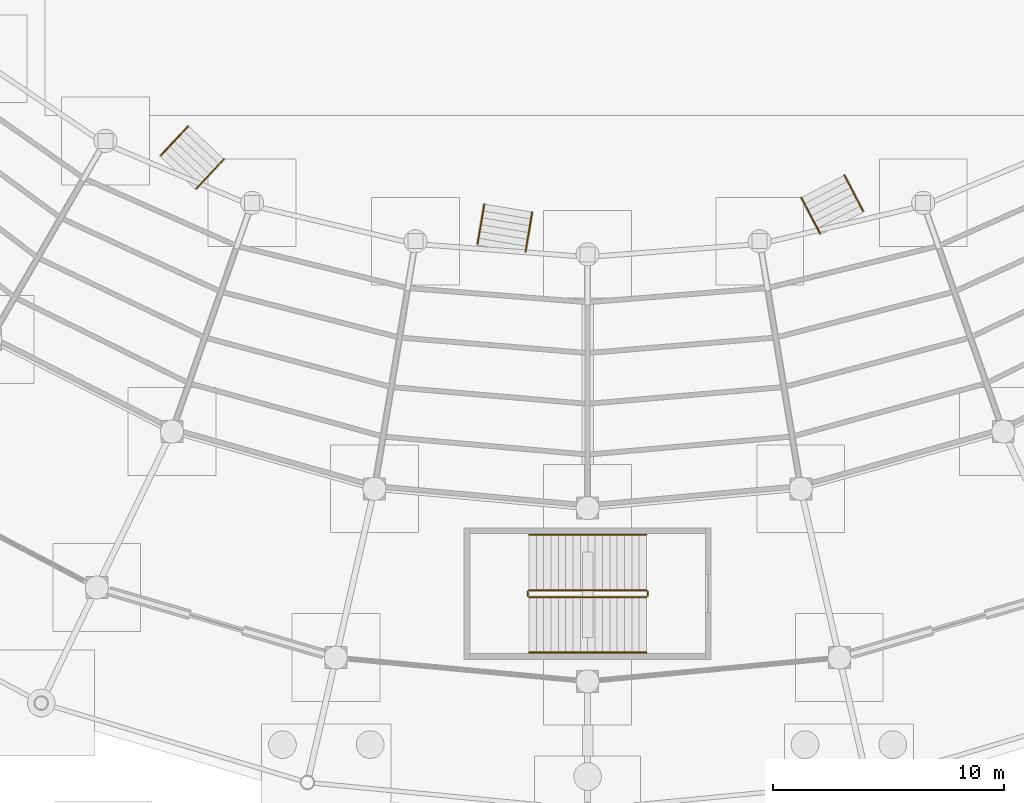
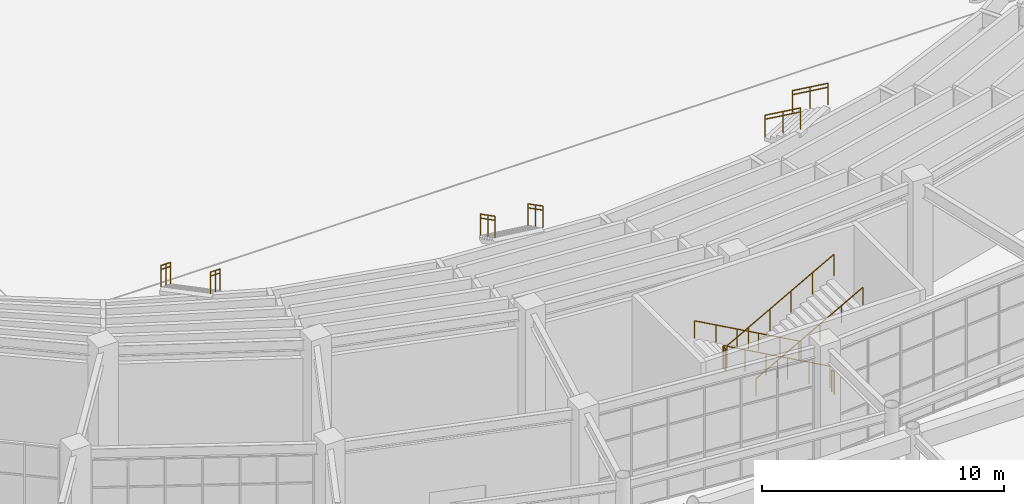
# One storey, part 106 of 121: 18 railings.
"""IFC4 building model written with IfcOpenShell, lengths in metres."""

import ifcopenshell
import ifcopenshell.guid

model = None  # the IFC model being written
_history = None  # IfcOwnerHistory: only IFC2X3 demands one
_inside = {}  # id of a spatial element -> (the spatial element, [elements in it])
_under = {}  # id of a project, library or spatial element -> (it, [spatial elements below it])
_declared = {}  # id of a project -> (the project, [libraries it declares])
_typed = {}  # id of a type object -> (the type object, [elements of that type])
_made_of = {}  # id of a material, layer set ... -> (it, [elements and type objects made of it])


def new_model(schema):
    """Start an empty IFC model of exactly this schema.

    Asked for "IFC4X3", IfcOpenShell would pick the latest addendum, in which some entities
    have other attributes; the version numbers below select the first issue.
    IFC2X3 requires an IfcOwnerHistory on every rooted entity: one is made here for all.
    """
    global model, _history
    if schema == "IFC4X3":
        model = ifcopenshell.file(schema_version=(4, 3, 0, 0))
    else:
        model = ifcopenshell.file(schema=schema)
    _inside.clear()
    _under.clear()
    _declared.clear()
    _typed.clear()
    _made_of.clear()
    _history = None
    if model.schema == "IFC2X3":
        org = make("IfcOrganization", Name="unknown")
        user = make(
            "IfcPersonAndOrganization",
            ThePerson=make("IfcPerson", FamilyName="unknown"),
            TheOrganization=org,
        )
        app = make(
            "IfcApplication",
            ApplicationDeveloper=org,
            Version="unknown",
            ApplicationFullName="unknown",
            ApplicationIdentifier="unknown",
        )
        _history = make(
            "IfcOwnerHistory",
            OwningUser=user,
            OwningApplication=app,
            ChangeAction="ADDED",
            CreationDate=0,
        )
    return model


def make(cls, **values):
    """One entity of the class cls with the attributes given. An attribute that is None is left unset."""
    return model.create_entity(
        cls, **{name: value for name, value in values.items() if value is not None}
    )


def rooted(cls, **values):
    """An entity with a GlobalId (a new one), such as an element, a storey or a relation."""
    return make(cls, GlobalId=ifcopenshell.guid.new(), OwnerHistory=_history, **values)


def si_unit(unit_type, name, prefix=None):
    """IfcSIUnit, for example si_unit("LENGTHUNIT", "METRE", prefix="MILLI")."""
    return make("IfcSIUnit", UnitType=unit_type, Prefix=prefix, Name=name)


def assignment(units):
    """IfcUnitAssignment: the units of a project."""
    return None if units is None else make("IfcUnitAssignment", Units=units)


def point(xyz):
    """IfcCartesianPoint."""
    return None if xyz is None else make("IfcCartesianPoint", Coordinates=xyz)


def direction(xyz):
    """IfcDirection."""
    return None if xyz is None else make("IfcDirection", DirectionRatios=xyz)


def frame(location, z_axis=None, x_axis=None):
    """IfcAxis2Placement3D, a coordinate frame: its origin and axes. An axis left out is left unset."""
    return make(
        "IfcAxis2Placement3D",
        Location=point(location),
        Axis=direction(z_axis),
        RefDirection=direction(x_axis),
    )


def frame_2d(location, x_axis=None):
    """IfcAxis2Placement2D, a coordinate frame in the plane: its origin and x axis."""
    return make(
        "IfcAxis2Placement2D", Location=point(location), RefDirection=direction(x_axis)
    )


def origin():
    """The frame at (0, 0, 0) with its axes left unset."""
    return frame((0.0, 0.0, 0.0))


def origin_2d():
    """The frame at (0, 0) in the plane with its x axis left unset."""
    return frame_2d((0.0, 0.0))


def place(relative_to, where):
    """IfcLocalPlacement: puts the frame where relative to a parent placement (None: the world)."""
    return make(
        "IfcLocalPlacement", PlacementRelTo=relative_to, RelativePlacement=where
    )


def context(
    kind, dimensions, precision=None, world=None, true_north=None, identifier=None
):
    """IfcGeometricRepresentationContext, for example the 3D "Model" context."""
    return make(
        "IfcGeometricRepresentationContext",
        ContextIdentifier=identifier,
        ContextType=kind,
        CoordinateSpaceDimension=dimensions,
        Precision=precision,
        WorldCoordinateSystem=world,
        TrueNorth=true_north,
    )


def subcontext(parent, identifier, kind, view, scale=None):
    """IfcGeometricRepresentationSubContext, for example "Body" below "Model"."""
    return make(
        "IfcGeometricRepresentationSubContext",
        ContextIdentifier=identifier,
        ContextType=kind,
        ParentContext=parent,
        TargetScale=scale,
        TargetView=view,
    )


def project(units=None, contexts=None):
    """IfcProject with its units and contexts."""
    return rooted(
        "IfcProject",
        Name="project",
        RepresentationContexts=contexts,
        UnitsInContext=assignment(units),
    )


def spatial(cls, under=None, at=None, **own):
    """A site, building, storey or space (cls), placed at a placement, below another one or the project."""
    s = rooted(cls, ObjectPlacement=at, **own)
    if under is not None:
        _under.setdefault(under.id(), (under, []))[1].append(s)
    return s


def profile(cls, at=None, kind="AREA", **sizes):
    """A parametric profile (cls). Its sizes go by their IFC names, for example OverallWidth=200.0."""
    return make(cls, ProfileType=kind, Position=at, **sizes)


def circle(**sizes):
    """IfcCircleProfileDef."""
    return profile("IfcCircleProfileDef", **sizes)


def extrude(swept, where, along, depth):
    """IfcExtrudedAreaSolid: the profile swept, set in the frame where, extruded along a direction by depth."""
    return make(
        "IfcExtrudedAreaSolid",
        SweptArea=swept,
        Position=where,
        ExtrudedDirection=direction(along),
        Depth=depth,
    )


def shape(context_of_items, identifier, shape_type, items):
    """IfcShapeRepresentation: the items that make up one representation, for example the "Body"."""
    return make(
        "IfcShapeRepresentation",
        ContextOfItems=context_of_items,
        RepresentationIdentifier=identifier,
        RepresentationType=shape_type,
        Items=items,
    )


def material(Name=None, Category=None):
    """IfcMaterial."""
    return make("IfcMaterial", Name=Name, Category=Category)


def made_of(thing, what):
    """Note that an element or type object is made of a material, layer set ...; save() writes the relation."""
    if what is not None:
        _made_of.setdefault(what.id(), (what, []))[1].append(thing)
    return thing


def type_object(cls, material=None, **own):
    """A type object (cls), such as IfcWallType, which elements share."""
    return made_of(rooted(cls, **own), material)


def element(
    cls,
    number,
    at=None,
    inside=None,
    cuts=None,
    type_object=None,
    material=None,
    context=None,
    identifier="Body",
    shape_type=None,
    held_by="IfcProductDefinitionShape",
    body=None,
    shapes=None,
    **own,
):
    """One element of the class cls, such as IfcWall. Its Tag is "e" and its number.

    at: its placement. inside: the storey or other place that contains it. cuts: it is an
    opening in that element (IfcRelVoidsElement). A single representation is given by context,
    identifier, shape_type and body (its items); several are given by shapes. held_by: the class
    of the entity that holds the representations. save() writes the other relations.
    """
    e = rooted(cls, Tag="e%d" % number, ObjectPlacement=at, **own)
    if body is not None:
        shapes = [shape(context, identifier, shape_type, body)]
    if shapes is not None:
        e.Representation = make(held_by, Representations=shapes)
    if inside is not None:
        _inside.setdefault(inside.id(), (inside, []))[1].append(e)
    if cuts is not None:
        rooted(
            "IfcRelVoidsElement", RelatingBuildingElement=cuts, RelatedOpeningElement=e
        )
    if type_object is not None:
        _typed.setdefault(type_object.id(), (type_object, []))[1].append(e)
    return made_of(e, material)


def aggregate(whole, parts):
    """IfcRelAggregates: a whole, such as a stair, and the parts it consists of."""
    return rooted("IfcRelAggregates", RelatingObject=whole, RelatedObjects=parts)


def save(model, path):
    """Write the relations noted so far, then the file.

    IfcRelAggregates (storeys below a building ...), IfcRelContainedInSpatialStructure (elements
    in a storey), IfcRelDefinesByType, IfcRelAssociatesMaterial and IfcRelDeclares: one each for
    every whole, place, type object, material and project.
    """
    for whole, parts in _under.values():
        aggregate(whole, parts)
    for where, things in _inside.values():
        rooted(
            "IfcRelContainedInSpatialStructure",
            RelatedElements=things,
            RelatingStructure=where,
        )
    for kind, things in _typed.values():
        rooted("IfcRelDefinesByType", RelatedObjects=things, RelatingType=kind)
    for what, things in _made_of.values():
        rooted("IfcRelAssociatesMaterial", RelatedObjects=things, RelatingMaterial=what)
    for by, libraries in _declared.values():
        rooted("IfcRelDeclares", RelatingContext=by, RelatedDefinitions=libraries)
    model.write(path)


model = new_model("IFC4")

# Units and contexts
model_context = context("Model", 3, precision=1e-05, world=origin(), true_north=direction((0.0, 1.0)))
body_context = subcontext(model_context, "Body", "Model", "MODEL_VIEW")
ifc_project = project(units=[si_unit("LENGTHUNIT", "METRE"), si_unit("AREAUNIT", "SQUARE_METRE"), si_unit("VOLUMEUNIT", "CUBIC_METRE"), si_unit("PLANEANGLEUNIT", "RADIAN"), si_unit("MASSUNIT", "GRAM", prefix="KILO")], contexts=[model_context])

# Site, building, storey
site_placement = place(None, origin())
site = spatial("IfcSite", under=ifc_project, at=site_placement, CompositionType="ELEMENT")
building_placement = place(site_placement, origin())
building = spatial("IfcBuilding", under=site, at=building_placement, Name="Cuetzalor Civic Arena", CompositionType="ELEMENT")
storey_placement = place(building_placement, origin())
storey = spatial("IfcBuildingStorey", under=building, at=storey_placement, Name="L00", CompositionType="ELEMENT", Elevation=0.0)

# Railings
ifc_material_1 = material(Name="Reseda-green Steel S355 and laminated glass guard", Category="steel")
railing_type_1 = type_object("IfcRailingType", Name="BowlSightlineGuard_1100", PredefinedType="BALUSTRADE", material=ifc_material_1)
railing_1_placement = place(storey_placement, frame((-15.755615234375, -18.378173828125, 0.17138671875)))
element("IfcRailing", 1, at=railing_1_placement, inside=storey, type_object=railing_type_1, Name="Vomitory Stair VST-10 Guard L", PredefinedType="BALUSTRADE", context=body_context, shape_type="SweptSolid", body=[
    extrude(circle(Radius=0.02392578125, at=origin_2d()), frame((0.0, 0.0, 1.076171875), z_axis=(-0.588051341462, -0.628639930355, 0.508927752995), x_axis=(0.730289480468, -0.683137815318, 0.0)), (0.0, 0.0, 1.0), 2.02099609375),
    extrude(circle(Radius=0.02099609375, at=origin_2d()), origin(), (0.0, 0.0, 1.0), 1.052001953125),
    extrude(circle(Radius=0.02099609375, at=origin_2d()), frame((-0.59423828125, -0.63525390625, 0.51416015625)), (0.0, 0.0, 1.0), 1.052001953125),
    extrude(circle(Radius=0.02099609375, at=origin_2d()), frame((-1.1884765625, -1.2705078125, 1.028564453125)), (0.0, 0.0, 1.0), 1.052001953125),
])
railing_2_placement = place(storey_placement, frame((-17.2890625, -16.943603515625, 0.17138671875)))
element("IfcRailing", 2, at=railing_2_placement, inside=storey, type_object=railing_type_1, Name="Vomitory Stair VST-10 Guard R", PredefinedType="BALUSTRADE", context=body_context, shape_type="SweptSolid", body=[
    extrude(circle(Radius=0.02392578125, at=origin_2d()), frame((0.0, 0.0, 1.076171875), z_axis=(-0.588130359462, -0.628595274315, 0.508891600824), x_axis=(0.730219473175, -0.683212646981, 0.0)), (0.0, 0.0, 1.0), 2.021240234375),
    extrude(circle(Radius=0.02099609375, at=origin_2d()), origin(), (0.0, 0.0, 1.0), 1.052001953125),
    extrude(circle(Radius=0.02099609375, at=origin_2d()), frame((-0.59423828125, -0.63525390625, 0.51416015625)), (0.0, 0.0, 1.0), 1.052001953125),
    extrude(circle(Radius=0.02099609375, at=origin_2d()), frame((-1.188720703125, -1.2705078125, 1.028564453125)), (0.0, 0.0, 1.0), 1.052001953125),
])
for number, where, name in (
    (3, (-2.40380859375, -20.675537109375, 0.17138671875), "Vomitory Stair VST-11 Guard L"),
    (4, (-4.474853515625, -20.328125, 0.17138671875), "Vomitory Stair VST-11 Guard R"),
):
    element("IfcRailing", number, at=place(storey_placement, frame(where)), inside=storey, type_object=railing_type_1, Name=name, PredefinedType="BALUSTRADE", context=body_context, shape_type="SweptSolid", body=[
        extrude(circle(Radius=0.02392578125, at=origin_2d()), frame((0.0, 0.0, 1.076171875), z_axis=(-0.142403922363, -0.848988269967, 0.508861513924), x_axis=(0.986222747963, -0.165422765663, 0.0)), (0.0, 0.0, 1.0), 2.021240234375),
        extrude(circle(Radius=0.02099609375, at=origin_2d()), origin(), (0.0, 0.0, 1.0), 1.052001953125),
        extrude(circle(Radius=0.02099609375, at=origin_2d()), frame((-0.14404296875, -0.85791015625, 0.51416015625)), (0.0, 0.0, 1.0), 1.052001953125),
        extrude(circle(Radius=0.02099609375, at=origin_2d()), frame((-0.287841796875, -1.716064453125, 1.028564453125)), (0.0, 0.0, 1.0), 1.052001953125),
    ])
railing_3_placement = place(storey_placement, frame((11.1220703125, -19.07568359375, 0.17138671875)))
element("IfcRailing", 5, at=railing_3_placement, inside=storey, type_object=railing_type_1, Name="Vomitory Stair VST-12 Guard L", PredefinedType="BALUSTRADE", context=body_context, shape_type="SweptSolid", body=[
    extrude(circle(Radius=0.02392578125, at=origin_2d()), frame((0.0, 0.0, 1.076171875), z_axis=(0.397771409347, -0.76341187582, 0.508900986207), x_axis=(0.886837419241, 0.46208158569, 0.0)), (0.0, 0.0, 1.0), 2.021240234375),
    extrude(circle(Radius=0.02099609375, at=origin_2d()), origin(), (0.0, 0.0, 1.0), 1.052001953125),
    extrude(circle(Radius=0.02099609375, at=origin_2d()), frame((0.40185546875, -0.771484375, 0.51416015625)), (0.0, 0.0, 1.0), 1.052001953125),
    extrude(circle(Radius=0.02099609375, at=origin_2d()), frame((0.803955078125, -1.54296875, 1.028564453125)), (0.0, 0.0, 1.0), 1.052001953125),
])
railing_4_placement = place(storey_placement, frame((9.259521484375, -20.0458984375, 0.17138671875)))
element("IfcRailing", 6, at=railing_4_placement, inside=storey, type_object=railing_type_1, Name="Vomitory Stair VST-12 Guard R", PredefinedType="BALUSTRADE", context=body_context, shape_type="SweptSolid", body=[
    extrude(circle(Radius=0.02392578125, at=origin_2d()), frame((0.0, 0.0, 1.076171875), z_axis=(0.397836398814, -0.763425584973, 0.508829613905), x_axis=(0.886809881546, 0.462134432813, 0.0)), (0.0, 0.0, 1.0), 2.021484375),
    extrude(circle(Radius=0.02099609375, at=origin_2d()), origin(), (0.0, 0.0, 1.0), 1.052001953125),
    extrude(circle(Radius=0.02099609375, at=origin_2d()), frame((0.402099609375, -0.771484375, 0.51416015625)), (0.0, 0.0, 1.0), 1.052001953125),
    extrude(circle(Radius=0.02099609375, at=origin_2d()), frame((0.80419921875, -1.543212890625, 1.028564453125)), (0.0, 0.0, 1.0), 1.052001953125),
])
ifc_material_2 = material(Name="Reseda-green architectural Steel S355 balustrade", Category="steel")
railing_type_2 = type_object("IfcRailingType", Name="InteriorVoidBalustrade_1100", PredefinedType="BALUSTRADE", material=ifc_material_2)
railing_5_placement = place(storey_placement, frame((2.550048828125, -37.050048828125, 0.176513671875)))
element("IfcRailing", 7, at=railing_5_placement, inside=storey, type_object=railing_type_2, Name="L00 ST-07 stair guard 1", PredefinedType="BALUSTRADE", context=body_context, shape_type="SweptSolid", body=[
    extrude(circle(Radius=0.02392578125, at=origin_2d()), frame((0.0, 0.0, 1.0810546875), z_axis=(-0.874394655587, 0.0, 0.485215401941), x_axis=(0.0, -1.0, 0.0)), (0.0, 0.0, 1.0), 5.819091796875),
    extrude(circle(Radius=0.02099609375, at=origin_2d()), origin(), (0.0, 0.0, 1.0), 1.056884765625),
    extrude(circle(Radius=0.02099609375, at=origin_2d()), frame((-1.017578125, 0.0, 0.564697265625)), (0.0, 0.0, 1.0), 1.056884765625),
    extrude(circle(Radius=0.02099609375, at=origin_2d()), frame((-2.03515625, 0.0, 1.12939453125)), (0.0, 0.0, 1.0), 1.056884765625),
    extrude(circle(Radius=0.02099609375, at=origin_2d()), frame((-3.052978515625, 0.0, 1.694091796875)), (0.0, 0.0, 1.0), 1.056884765625),
    extrude(circle(Radius=0.02099609375, at=origin_2d()), frame((-4.070556640625, 0.0, 2.2587890625)), (0.0, 0.0, 1.0), 1.056884765625),
    extrude(circle(Radius=0.02099609375, at=origin_2d()), frame((-5.088134765625, 0.0, 2.823486328125)), (0.0, 0.0, 1.0), 1.056884765625),
])
railing_6_placement = place(storey_placement, frame((-2.587890625, -37.10009765625, 3.0)))
element("IfcRailing", 8, at=railing_6_placement, inside=storey, type_object=railing_type_2, Name="L00 ST-07 stair guard 2", PredefinedType="BALUSTRADE", context=body_context, shape_type="SweptSolid", body=[
    extrude(circle(Radius=0.02392578125, at=origin_2d()), frame((0.0, 0.0, 1.0810546875), z_axis=(0.0, -1.0, 0.0), x_axis=(1.0, 0.0, 0.0)), (0.0, 0.0, 1.0), 0.199951171875),
    extrude(circle(Radius=0.02099609375, at=origin_2d()), origin(), (0.0, 0.0, 1.0), 1.056884765625),
    extrude(circle(Radius=0.02099609375, at=origin_2d()), frame((0.0, -0.199951171875, 0.0)), (0.0, 0.0, 1.0), 1.056884765625),
])
railing_7_placement = place(storey_placement, frame((-2.5380859375, -37.35009765625, 3.176513671875)))
element("IfcRailing", 9, at=railing_7_placement, inside=storey, type_object=railing_type_2, Name="L00 ST-07 stair guard 3", PredefinedType="BALUSTRADE", context=body_context, shape_type="SweptSolid", body=[
    extrude(circle(Radius=0.02392578125, at=origin_2d()), frame((0.0, 0.0, 1.0810546875), z_axis=(0.874394655587, 0.0, 0.485215401941), x_axis=(0.0, 1.0, 0.0)), (0.0, 0.0, 1.0), 5.819091796875),
    extrude(circle(Radius=0.02099609375, at=origin_2d()), origin(), (0.0, 0.0, 1.0), 1.056884765625),
    extrude(circle(Radius=0.02099609375, at=origin_2d()), frame((1.017578125, 0.0, 0.564697265625)), (0.0, 0.0, 1.0), 1.056884765625),
    extrude(circle(Radius=0.02099609375, at=origin_2d()), frame((2.03515625, 0.0, 1.12939453125)), (0.0, 0.0, 1.0), 1.056884765625),
    extrude(circle(Radius=0.02099609375, at=origin_2d()), frame((3.052978515625, 0.0, 1.694091796875)), (0.0, 0.0, 1.0), 1.056884765625),
    extrude(circle(Radius=0.02099609375, at=origin_2d()), frame((4.070556640625, 0.0, 2.2587890625)), (0.0, 0.0, 1.0), 1.056884765625),
    extrude(circle(Radius=0.02099609375, at=origin_2d()), frame((5.088134765625, 0.0, 2.823486328125)), (0.0, 0.0, 1.0), 1.056884765625),
])
railing_8_placement = place(storey_placement, frame((2.60009765625, -37.10009765625, 0.0)))
element("IfcRailing", 10, at=railing_8_placement, inside=storey, type_object=railing_type_2, Name="L00 ST-07 stair guard 4", PredefinedType="BALUSTRADE", context=body_context, shape_type="SweptSolid", body=[
    extrude(circle(Radius=0.02392578125, at=origin_2d()), frame((0.0, 0.0, 1.0810546875), z_axis=(0.0, -1.0, 0.0), x_axis=(1.0, 0.0, 0.0)), (0.0, 0.0, 1.0), 0.199951171875),
    extrude(circle(Radius=0.02099609375, at=origin_2d()), origin(), (0.0, 0.0, 1.0), 1.056884765625),
    extrude(circle(Radius=0.02099609375, at=origin_2d()), frame((0.0, -0.199951171875, 0.0)), (0.0, 0.0, 1.0), 1.056884765625),
])
ifc_material_3 = material(Name="Galvanised steel S355", Category="steel")
railing_type_3 = type_object("IfcRailingType", Name="StairPitchHandrail_900", PredefinedType="HANDRAIL", material=ifc_material_3)
railing_9_placement = place(storey_placement, frame((2.550048828125, -34.64990234375, 0.176513671875)))
element("IfcRailing", 11, at=railing_9_placement, inside=storey, type_object=railing_type_3, Name="L00 ST-07 stair handrail 1", PredefinedType="HANDRAIL", context=body_context, shape_type="SweptSolid", body=[
    extrude(circle(Radius=0.02392578125, at=origin_2d()), frame((0.0, 0.0, 0.8759765625), z_axis=(-0.874394655587, 0.0, 0.485215401941), x_axis=(0.0, -1.0, 0.0)), (0.0, 0.0, 1.0), 5.819091796875),
    extrude(circle(Radius=0.02099609375, at=origin_2d()), origin(), (0.0, 0.0, 1.0), 0.851806640625),
    extrude(circle(Radius=0.02099609375, at=origin_2d()), frame((-1.017578125, 0.0, 0.564697265625)), (0.0, 0.0, 1.0), 0.851806640625),
    extrude(circle(Radius=0.02099609375, at=origin_2d()), frame((-2.03515625, 0.0, 1.12939453125)), (0.0, 0.0, 1.0), 0.851806640625),
    extrude(circle(Radius=0.02099609375, at=origin_2d()), frame((-3.052978515625, 0.0, 1.694091796875)), (0.0, 0.0, 1.0), 0.851806640625),
    extrude(circle(Radius=0.02099609375, at=origin_2d()), frame((-4.070556640625, 0.0, 2.2587890625)), (0.0, 0.0, 1.0), 0.851806640625),
    extrude(circle(Radius=0.02099609375, at=origin_2d()), frame((-5.088134765625, 0.0, 2.823486328125)), (0.0, 0.0, 1.0), 0.851806640625),
])
railing_10_placement = place(storey_placement, frame((-2.5380859375, -39.75, 3.176513671875)))
element("IfcRailing", 12, at=railing_10_placement, inside=storey, type_object=railing_type_3, Name="L00 ST-07 stair handrail 2", PredefinedType="HANDRAIL", context=body_context, shape_type="SweptSolid", body=[
    extrude(circle(Radius=0.02392578125, at=origin_2d()), frame((0.0, 0.0, 0.8759765625), z_axis=(0.874394655587, 0.0, 0.485215401941), x_axis=(0.0, 1.0, 0.0)), (0.0, 0.0, 1.0), 5.819091796875),
    extrude(circle(Radius=0.02099609375, at=origin_2d()), origin(), (0.0, 0.0, 1.0), 0.851806640625),
    extrude(circle(Radius=0.02099609375, at=origin_2d()), frame((1.017578125, 0.0, 0.564697265625)), (0.0, 0.0, 1.0), 0.851806640625),
    extrude(circle(Radius=0.02099609375, at=origin_2d()), frame((2.03515625, 0.0, 1.12939453125)), (0.0, 0.0, 1.0), 0.851806640625),
    extrude(circle(Radius=0.02099609375, at=origin_2d()), frame((3.052978515625, 0.0, 1.694091796875)), (0.0, 0.0, 1.0), 0.851806640625),
    extrude(circle(Radius=0.02099609375, at=origin_2d()), frame((4.070556640625, 0.0, 2.2587890625)), (0.0, 0.0, 1.0), 0.851806640625),
    extrude(circle(Radius=0.02099609375, at=origin_2d()), frame((5.088134765625, 0.0, 2.823486328125)), (0.0, 0.0, 1.0), 0.851806640625),
])
railing_11_placement = place(storey_placement, frame((-15.755615234375, -18.378173828125, 0.17138671875)))
element("IfcRailing", 13, at=railing_11_placement, inside=storey, type_object=railing_type_3, Name="Vomitory Stair VST-10 Handrail L", PredefinedType="HANDRAIL", context=body_context, shape_type="SweptSolid", body=[
    extrude(circle(Radius=0.02392578125, at=origin_2d()), frame((0.0, 0.0, 0.8759765625), z_axis=(-0.588051341462, -0.628639930355, 0.508927752995), x_axis=(0.730289480468, -0.683137815318, 0.0)), (0.0, 0.0, 1.0), 2.02099609375),
    extrude(circle(Radius=0.02099609375, at=origin_2d()), origin(), (0.0, 0.0, 1.0), 0.851806640625),
    extrude(circle(Radius=0.02099609375, at=origin_2d()), frame((-0.59423828125, -0.63525390625, 0.51416015625)), (0.0, 0.0, 1.0), 0.851806640625),
    extrude(circle(Radius=0.02099609375, at=origin_2d()), frame((-1.1884765625, -1.2705078125, 1.028564453125)), (0.0, 0.0, 1.0), 0.851806640625),
])
railing_12_placement = place(storey_placement, frame((-17.2890625, -16.943603515625, 0.17138671875)))
element("IfcRailing", 14, at=railing_12_placement, inside=storey, type_object=railing_type_3, Name="Vomitory Stair VST-10 Handrail R", PredefinedType="HANDRAIL", context=body_context, shape_type="SweptSolid", body=[
    extrude(circle(Radius=0.02392578125, at=origin_2d()), frame((0.0, 0.0, 0.8759765625), z_axis=(-0.588130359462, -0.628595274315, 0.508891600824), x_axis=(0.730219473175, -0.683212646981, 0.0)), (0.0, 0.0, 1.0), 2.021240234375),
    extrude(circle(Radius=0.02099609375, at=origin_2d()), origin(), (0.0, 0.0, 1.0), 0.851806640625),
    extrude(circle(Radius=0.02099609375, at=origin_2d()), frame((-0.59423828125, -0.63525390625, 0.51416015625)), (0.0, 0.0, 1.0), 0.851806640625),
    extrude(circle(Radius=0.02099609375, at=origin_2d()), frame((-1.188720703125, -1.2705078125, 1.028564453125)), (0.0, 0.0, 1.0), 0.851806640625),
])
for number, where, name in (
    (15, (-2.40380859375, -20.675537109375, 0.17138671875), "Vomitory Stair VST-11 Handrail L"),
    (16, (-4.474853515625, -20.328125, 0.17138671875), "Vomitory Stair VST-11 Handrail R"),
):
    element("IfcRailing", number, at=place(storey_placement, frame(where)), inside=storey, type_object=railing_type_3, Name=name, PredefinedType="HANDRAIL", context=body_context, shape_type="SweptSolid", body=[
        extrude(circle(Radius=0.02392578125, at=origin_2d()), frame((0.0, 0.0, 0.8759765625), z_axis=(-0.142403922363, -0.848988269967, 0.508861513924), x_axis=(0.986222747963, -0.165422765663, 0.0)), (0.0, 0.0, 1.0), 2.021240234375),
        extrude(circle(Radius=0.02099609375, at=origin_2d()), origin(), (0.0, 0.0, 1.0), 0.851806640625),
        extrude(circle(Radius=0.02099609375, at=origin_2d()), frame((-0.14404296875, -0.85791015625, 0.51416015625)), (0.0, 0.0, 1.0), 0.851806640625),
        extrude(circle(Radius=0.02099609375, at=origin_2d()), frame((-0.287841796875, -1.716064453125, 1.028564453125)), (0.0, 0.0, 1.0), 0.851806640625),
    ])
railing_13_placement = place(storey_placement, frame((11.1220703125, -19.07568359375, 0.17138671875)))
element("IfcRailing", 17, at=railing_13_placement, inside=storey, type_object=railing_type_3, Name="Vomitory Stair VST-12 Handrail L", PredefinedType="HANDRAIL", context=body_context, shape_type="SweptSolid", body=[
    extrude(circle(Radius=0.02392578125, at=origin_2d()), frame((0.0, 0.0, 0.8759765625), z_axis=(0.397771409347, -0.76341187582, 0.508900986207), x_axis=(0.886837419241, 0.46208158569, 0.0)), (0.0, 0.0, 1.0), 2.021240234375),
    extrude(circle(Radius=0.02099609375, at=origin_2d()), origin(), (0.0, 0.0, 1.0), 0.851806640625),
    extrude(circle(Radius=0.02099609375, at=origin_2d()), frame((0.40185546875, -0.771484375, 0.51416015625)), (0.0, 0.0, 1.0), 0.851806640625),
    extrude(circle(Radius=0.02099609375, at=origin_2d()), frame((0.803955078125, -1.54296875, 1.028564453125)), (0.0, 0.0, 1.0), 0.851806640625),
])
railing_14_placement = place(storey_placement, frame((9.259521484375, -20.0458984375, 0.17138671875)))
element("IfcRailing", 18, at=railing_14_placement, inside=storey, type_object=railing_type_3, Name="Vomitory Stair VST-12 Handrail R", PredefinedType="HANDRAIL", context=body_context, shape_type="SweptSolid", body=[
    extrude(circle(Radius=0.02392578125, at=origin_2d()), frame((0.0, 0.0, 0.8759765625), z_axis=(0.397836398814, -0.763425584973, 0.508829613905), x_axis=(0.886809881546, 0.462134432813, 0.0)), (0.0, 0.0, 1.0), 2.021484375),
    extrude(circle(Radius=0.02099609375, at=origin_2d()), origin(), (0.0, 0.0, 1.0), 0.851806640625),
    extrude(circle(Radius=0.02099609375, at=origin_2d()), frame((0.402099609375, -0.771484375, 0.51416015625)), (0.0, 0.0, 1.0), 0.851806640625),
    extrude(circle(Radius=0.02099609375, at=origin_2d()), frame((0.80419921875, -1.543212890625, 1.028564453125)), (0.0, 0.0, 1.0), 0.851806640625),
])

save(model, "model.ifc")
